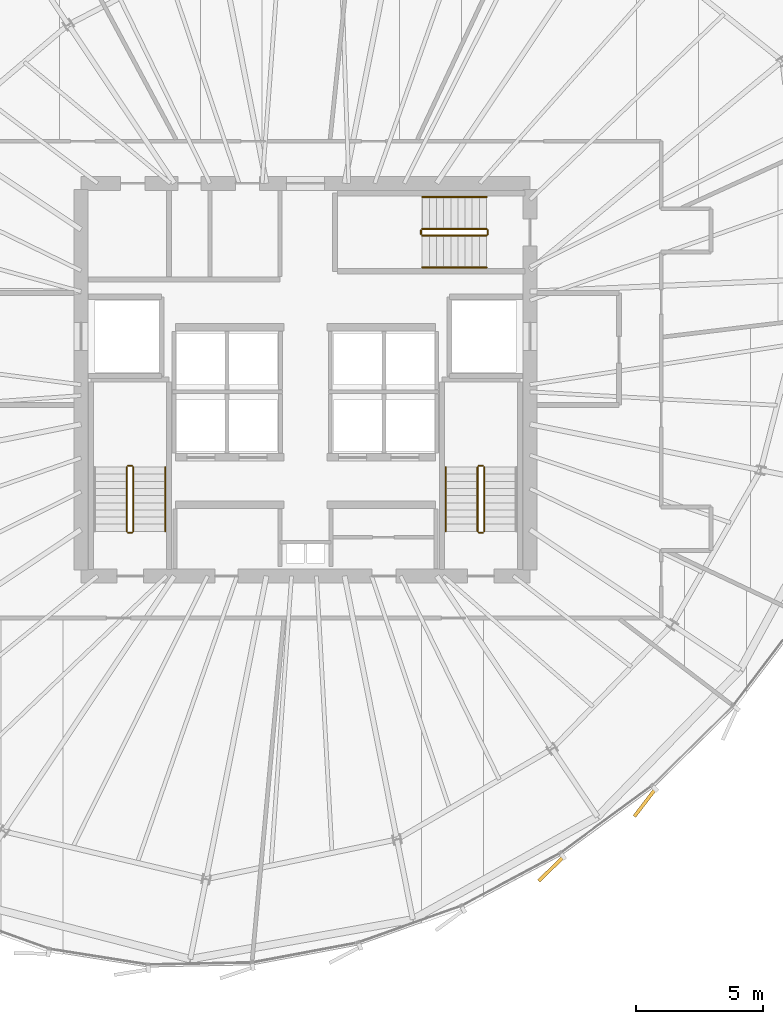
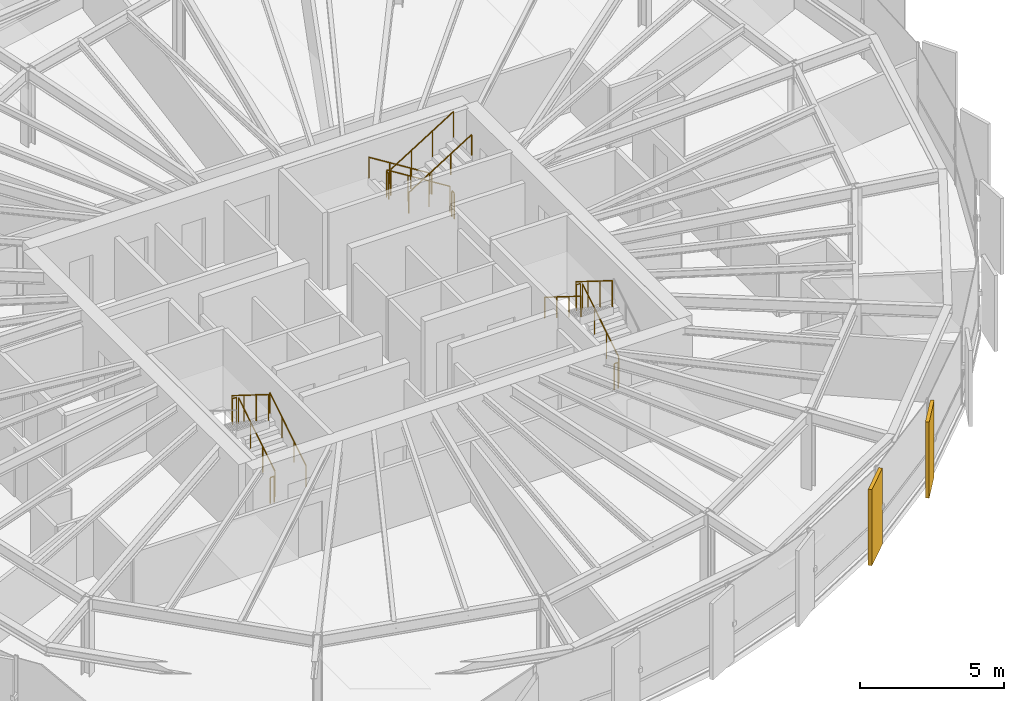
# One storey, part 35 of 36: 16 railings, 2 coverings.
"""IFC4 building model written with IfcOpenShell, lengths in metres."""

from ifc_helpers import new_model, si_unit, direction, frame, origin, origin_2d, place, context, subcontext, project, spatial, rectangle, circle, extrude, source, transform, mapped, material, layer, layer_set, type_object, element, save


model = new_model("IFC4")

# Units and contexts
model_context = context("Model", 3, precision=1e-05, world=origin(), true_north=direction((0.0, 1.0)))
body_context = subcontext(model_context, "Body", "Model", "MODEL_VIEW")
ifc_project = project(units=[si_unit("LENGTHUNIT", "METRE"), si_unit("AREAUNIT", "SQUARE_METRE"), si_unit("VOLUMEUNIT", "CUBIC_METRE"), si_unit("PLANEANGLEUNIT", "RADIAN"), si_unit("MASSUNIT", "GRAM", prefix="KILO"), si_unit("THERMODYNAMICTEMPERATUREUNIT", "KELVIN")], contexts=[model_context])

# Site, building, storey
site_placement = place(None, origin())
site = spatial("IfcSite", under=ifc_project, at=site_placement, CompositionType="ELEMENT")
building_placement = place(site_placement, origin())
building = spatial("IfcBuilding", under=site, at=building_placement, Name="Kethvar Cultural Tower", CompositionType="ELEMENT")
storey_placement = place(building_placement, frame((0.0, 0.0, 197.39990234375)))
storey = spatial("IfcBuildingStorey", under=building, at=storey_placement, Name="L51", CompositionType="ELEMENT", Elevation=197.39990234375)

# Railings
ifc_material_1 = material(Name="Steel S355J2", Category="steel")
railing_type_1 = type_object("IfcRailingType", Name="RL-STAIR-GUARD", PredefinedType="BALUSTRADE", material=ifc_material_1)
railing_1_placement = place(storey_placement, frame((40.050048828125, 21.85009765625, 0.175048828125)))
element("IfcRailing", 1, at=railing_1_placement, inside=storey, type_object=railing_type_1, Name="L51 ST-01 stair guard 1", PredefinedType="BALUSTRADE", context=body_context, shape_type="SweptSolid", body=[
    extrude(circle(Radius=0.02392578125, at=origin_2d()), frame((0.0, 0.0, 1.09619140625), z_axis=(0.0, 0.848007534815, 0.529984170421), x_axis=(-1.0, 0.0, 0.0)), (0.0, 0.0, 1.0), 2.9716796875),
    extrude(circle(Radius=0.02099609375, at=origin_2d()), origin(), (0.0, 0.0, 1.0), 1.072021484375),
    extrude(circle(Radius=0.02099609375, at=origin_2d()), frame((0.0, 0.840087890625, 0.52490234375)), (0.0, 0.0, 1.0), 1.072021484375),
    extrude(circle(Radius=0.02099609375, at=origin_2d()), frame((0.0, 1.679931640625, 1.050048828125)), (0.0, 0.0, 1.0), 1.072021484375),
    extrude(circle(Radius=0.02099609375, at=origin_2d()), frame((0.0, 2.52001953125, 1.574951171875)), (0.0, 0.0, 1.0), 1.072021484375),
])
railing_2_placement = place(storey_placement, frame((40.0, 24.419921875, 1.75)))
element("IfcRailing", 2, at=railing_2_placement, inside=storey, type_object=railing_type_1, Name="L51 ST-01 stair guard 2", PredefinedType="BALUSTRADE", context=body_context, shape_type="SweptSolid", body=[
    extrude(circle(Radius=0.02392578125, at=origin_2d()), frame((0.0, 0.0, 1.09619140625), z_axis=(-1.0, 0.0, 0.0), x_axis=(0.0, -1.0, 0.0)), (0.0, 0.0, 1.0), 0.159912109375),
    extrude(circle(Radius=0.02099609375, at=origin_2d()), origin(), (0.0, 0.0, 1.0), 1.072021484375),
    extrude(circle(Radius=0.02099609375, at=origin_2d()), frame((-0.159912109375, 0.0, 0.0)), (0.0, 0.0, 1.0), 1.072021484375),
])
railing_3_placement = place(storey_placement, frame((39.7900390625, 24.3701171875, 1.925048828125)))
element("IfcRailing", 3, at=railing_3_placement, inside=storey, type_object=railing_type_1, Name="L51 ST-01 stair guard 3", PredefinedType="BALUSTRADE", context=body_context, shape_type="SweptSolid", body=[
    extrude(circle(Radius=0.02392578125, at=origin_2d()), frame((0.0, 0.0, 1.09619140625), z_axis=(0.0, -0.848007534815, 0.529984170421), x_axis=(1.0, 0.0, 0.0)), (0.0, 0.0, 1.0), 2.9716796875),
    extrude(circle(Radius=0.02099609375, at=origin_2d()), origin(), (0.0, 0.0, 1.0), 1.072021484375),
    extrude(circle(Radius=0.02099609375, at=origin_2d()), frame((0.0, -0.840087890625, 0.52490234375)), (0.0, 0.0, 1.0), 1.072021484375),
    extrude(circle(Radius=0.02099609375, at=origin_2d()), frame((0.0, -1.679931640625, 1.050048828125)), (0.0, 0.0, 1.0), 1.072021484375),
    extrude(circle(Radius=0.02099609375, at=origin_2d()), frame((0.0, -2.52001953125, 1.574951171875)), (0.0, 0.0, 1.0), 1.072021484375),
])
railing_4_placement = place(storey_placement, frame((40.0, 21.800048828125, 0.0)))
element("IfcRailing", 4, at=railing_4_placement, inside=storey, type_object=railing_type_1, Name="L51 ST-01 stair guard 4", PredefinedType="BALUSTRADE", context=body_context, shape_type="SweptSolid", body=[
    extrude(circle(Radius=0.02392578125, at=origin_2d()), frame((0.0, 0.0, 1.09619140625), z_axis=(-1.0, 0.0, 0.0), x_axis=(0.0, -1.0, 0.0)), (0.0, 0.0, 1.0), 0.159912109375),
    extrude(circle(Radius=0.02099609375, at=origin_2d()), origin(), (0.0, 0.0, 1.0), 1.072021484375),
    extrude(circle(Radius=0.02099609375, at=origin_2d()), frame((-0.159912109375, 0.0, 0.0)), (0.0, 0.0, 1.0), 1.072021484375),
])
railing_5_placement = place(storey_placement, frame((53.81005859375, 21.85009765625, 0.175048828125)))
element("IfcRailing", 5, at=railing_5_placement, inside=storey, type_object=railing_type_1, Name="L51 ST-02 stair guard 1", PredefinedType="BALUSTRADE", context=body_context, shape_type="SweptSolid", body=[
    extrude(circle(Radius=0.02392578125, at=origin_2d()), frame((0.0, 0.0, 1.09619140625), z_axis=(0.0, 0.848007534815, 0.529984170421), x_axis=(-1.0, 0.0, 0.0)), (0.0, 0.0, 1.0), 2.9716796875),
    extrude(circle(Radius=0.02099609375, at=origin_2d()), origin(), (0.0, 0.0, 1.0), 1.072021484375),
    extrude(circle(Radius=0.02099609375, at=origin_2d()), frame((0.0, 0.840087890625, 0.52490234375)), (0.0, 0.0, 1.0), 1.072021484375),
    extrude(circle(Radius=0.02099609375, at=origin_2d()), frame((0.0, 1.679931640625, 1.050048828125)), (0.0, 0.0, 1.0), 1.072021484375),
    extrude(circle(Radius=0.02099609375, at=origin_2d()), frame((0.0, 2.52001953125, 1.574951171875)), (0.0, 0.0, 1.0), 1.072021484375),
])
railing_6_placement = place(storey_placement, frame((53.760009765625, 24.419921875, 1.75)))
element("IfcRailing", 6, at=railing_6_placement, inside=storey, type_object=railing_type_1, Name="L51 ST-02 stair guard 2", PredefinedType="BALUSTRADE", context=body_context, shape_type="SweptSolid", body=[
    extrude(circle(Radius=0.02392578125, at=origin_2d()), frame((0.0, 0.0, 1.09619140625), z_axis=(-1.0, 0.0, 0.0), x_axis=(0.0, -1.0, 0.0)), (0.0, 0.0, 1.0), 0.159912109375),
    extrude(circle(Radius=0.02099609375, at=origin_2d()), origin(), (0.0, 0.0, 1.0), 1.072021484375),
    extrude(circle(Radius=0.02099609375, at=origin_2d()), frame((-0.159912109375, 0.0, 0.0)), (0.0, 0.0, 1.0), 1.072021484375),
])
railing_7_placement = place(storey_placement, frame((53.550048828125, 24.3701171875, 1.925048828125)))
element("IfcRailing", 7, at=railing_7_placement, inside=storey, type_object=railing_type_1, Name="L51 ST-02 stair guard 3", PredefinedType="BALUSTRADE", context=body_context, shape_type="SweptSolid", body=[
    extrude(circle(Radius=0.02392578125, at=origin_2d()), frame((0.0, 0.0, 1.09619140625), z_axis=(0.0, -0.848007534815, 0.529984170421), x_axis=(1.0, 0.0, 0.0)), (0.0, 0.0, 1.0), 2.9716796875),
    extrude(circle(Radius=0.02099609375, at=origin_2d()), origin(), (0.0, 0.0, 1.0), 1.072021484375),
    extrude(circle(Radius=0.02099609375, at=origin_2d()), frame((0.0, -0.840087890625, 0.52490234375)), (0.0, 0.0, 1.0), 1.072021484375),
    extrude(circle(Radius=0.02099609375, at=origin_2d()), frame((0.0, -1.679931640625, 1.050048828125)), (0.0, 0.0, 1.0), 1.072021484375),
    extrude(circle(Radius=0.02099609375, at=origin_2d()), frame((0.0, -2.52001953125, 1.574951171875)), (0.0, 0.0, 1.0), 1.072021484375),
])
railing_8_placement = place(storey_placement, frame((53.760009765625, 21.800048828125, 0.0)))
element("IfcRailing", 8, at=railing_8_placement, inside=storey, type_object=railing_type_1, Name="L51 ST-02 stair guard 4", PredefinedType="BALUSTRADE", context=body_context, shape_type="SweptSolid", body=[
    extrude(circle(Radius=0.02392578125, at=origin_2d()), frame((0.0, 0.0, 1.09619140625), z_axis=(-1.0, 0.0, 0.0), x_axis=(0.0, -1.0, 0.0)), (0.0, 0.0, 1.0), 0.159912109375),
    extrude(circle(Radius=0.02099609375, at=origin_2d()), origin(), (0.0, 0.0, 1.0), 1.072021484375),
    extrude(circle(Radius=0.02099609375, at=origin_2d()), frame((-0.159912109375, 0.0, 0.0)), (0.0, 0.0, 1.0), 1.072021484375),
])
railing_9_placement = place(storey_placement, frame((53.89990234375, 33.7099609375, 0.175048828125)))
element("IfcRailing", 9, at=railing_9_placement, inside=storey, type_object=railing_type_1, Name="L51 ST-03 stair guard 1", PredefinedType="BALUSTRADE", context=body_context, shape_type="SweptSolid", body=[
    extrude(circle(Radius=0.02392578125, at=origin_2d()), frame((0.0, 0.0, 1.09619140625), z_axis=(-0.848007534815, 0.0, 0.529984170421), x_axis=(0.0, -1.0, 0.0)), (0.0, 0.0, 1.0), 2.9716796875),
    extrude(circle(Radius=0.02099609375, at=origin_2d()), origin(), (0.0, 0.0, 1.0), 1.072021484375),
    extrude(circle(Radius=0.02099609375, at=origin_2d()), frame((-0.840087890625, 0.0, 0.52490234375)), (0.0, 0.0, 1.0), 1.072021484375),
    extrude(circle(Radius=0.02099609375, at=origin_2d()), frame((-1.679931640625, 0.0, 1.050048828125)), (0.0, 0.0, 1.0), 1.072021484375),
    extrude(circle(Radius=0.02099609375, at=origin_2d()), frame((-2.52001953125, 0.0, 1.574951171875)), (0.0, 0.0, 1.0), 1.072021484375),
])
railing_10_placement = place(storey_placement, frame((51.330078125, 33.659912109375, 1.75)))
element("IfcRailing", 10, at=railing_10_placement, inside=storey, type_object=railing_type_1, Name="L51 ST-03 stair guard 2", PredefinedType="BALUSTRADE", context=body_context, shape_type="SweptSolid", body=[
    extrude(circle(Radius=0.02392578125, at=origin_2d()), frame((0.0, 0.0, 1.09619140625), z_axis=(0.0, -1.0, 0.0), x_axis=(1.0, 0.0, 0.0)), (0.0, 0.0, 1.0), 0.159912109375),
    extrude(circle(Radius=0.02099609375, at=origin_2d()), origin(), (0.0, 0.0, 1.0), 1.072021484375),
    extrude(circle(Radius=0.02099609375, at=origin_2d()), frame((0.0, -0.159912109375, 0.0)), (0.0, 0.0, 1.0), 1.072021484375),
])
railing_11_placement = place(storey_placement, frame((51.3798828125, 33.449951171875, 1.925048828125)))
element("IfcRailing", 11, at=railing_11_placement, inside=storey, type_object=railing_type_1, Name="L51 ST-03 stair guard 3", PredefinedType="BALUSTRADE", context=body_context, shape_type="SweptSolid", body=[
    extrude(circle(Radius=0.02392578125, at=origin_2d()), frame((0.0, 0.0, 1.09619140625), z_axis=(0.848007534815, 0.0, 0.529984170421), x_axis=(0.0, 1.0, 0.0)), (0.0, 0.0, 1.0), 2.9716796875),
    extrude(circle(Radius=0.02099609375, at=origin_2d()), origin(), (0.0, 0.0, 1.0), 1.072021484375),
    extrude(circle(Radius=0.02099609375, at=origin_2d()), frame((0.840087890625, 0.0, 0.52490234375)), (0.0, 0.0, 1.0), 1.072021484375),
    extrude(circle(Radius=0.02099609375, at=origin_2d()), frame((1.679931640625, 0.0, 1.050048828125)), (0.0, 0.0, 1.0), 1.072021484375),
    extrude(circle(Radius=0.02099609375, at=origin_2d()), frame((2.52001953125, 0.0, 1.574951171875)), (0.0, 0.0, 1.0), 1.072021484375),
])
railing_12_placement = place(storey_placement, frame((53.949951171875, 33.659912109375, 0.0)))
element("IfcRailing", 12, at=railing_12_placement, inside=storey, type_object=railing_type_1, Name="L51 ST-03 stair guard 4", PredefinedType="BALUSTRADE", context=body_context, shape_type="SweptSolid", body=[
    extrude(circle(Radius=0.02392578125, at=origin_2d()), frame((0.0, 0.0, 1.09619140625), z_axis=(0.0, -1.0, 0.0), x_axis=(1.0, 0.0, 0.0)), (0.0, 0.0, 1.0), 0.159912109375),
    extrude(circle(Radius=0.02099609375, at=origin_2d()), origin(), (0.0, 0.0, 1.0), 1.072021484375),
    extrude(circle(Radius=0.02099609375, at=origin_2d()), frame((0.0, -0.159912109375, 0.0)), (0.0, 0.0, 1.0), 1.072021484375),
])
railing_type_2 = type_object("IfcRailingType", Name="RL-STAIR-HANDRAIL", PredefinedType="HANDRAIL", material=ifc_material_1)
railing_13_placement = place(storey_placement, frame((41.300048828125, 21.85009765625, 0.175048828125)))
element("IfcRailing", 13, at=railing_13_placement, inside=storey, type_object=railing_type_2, Name="L51 ST-01 stair handrail 1", PredefinedType="HANDRAIL", context=body_context, shape_type="SweptSolid", body=[
    extrude(circle(Radius=0.02392578125, at=origin_2d()), frame((0.0, 0.0, 0.8759765625), z_axis=(0.0, 0.848007534815, 0.529984170421), x_axis=(-1.0, 0.0, 0.0)), (0.0, 0.0, 1.0), 2.9716796875),
    extrude(circle(Radius=0.02099609375, at=origin_2d()), origin(), (0.0, 0.0, 1.0), 0.851806640625),
    extrude(circle(Radius=0.02099609375, at=origin_2d()), frame((0.0, 0.840087890625, 0.52490234375)), (0.0, 0.0, 1.0), 0.851806640625),
    extrude(circle(Radius=0.02099609375, at=origin_2d()), frame((0.0, 1.679931640625, 1.050048828125)), (0.0, 0.0, 1.0), 0.851806640625),
    extrude(circle(Radius=0.02099609375, at=origin_2d()), frame((0.0, 2.52001953125, 1.574951171875)), (0.0, 0.0, 1.0), 0.851806640625),
])
railing_14_placement = place(storey_placement, frame((52.300048828125, 24.3701171875, 1.925048828125)))
element("IfcRailing", 14, at=railing_14_placement, inside=storey, type_object=railing_type_2, Name="L51 ST-02 stair handrail 2", PredefinedType="HANDRAIL", context=body_context, shape_type="SweptSolid", body=[
    extrude(circle(Radius=0.02392578125, at=origin_2d()), frame((0.0, 0.0, 0.8759765625), z_axis=(0.0, -0.848007534815, 0.529984170421), x_axis=(1.0, 0.0, 0.0)), (0.0, 0.0, 1.0), 2.9716796875),
    extrude(circle(Radius=0.02099609375, at=origin_2d()), origin(), (0.0, 0.0, 1.0), 0.851806640625),
    extrude(circle(Radius=0.02099609375, at=origin_2d()), frame((0.0, -0.840087890625, 0.52490234375)), (0.0, 0.0, 1.0), 0.851806640625),
    extrude(circle(Radius=0.02099609375, at=origin_2d()), frame((0.0, -1.679931640625, 1.050048828125)), (0.0, 0.0, 1.0), 0.851806640625),
    extrude(circle(Radius=0.02099609375, at=origin_2d()), frame((0.0, -2.52001953125, 1.574951171875)), (0.0, 0.0, 1.0), 0.851806640625),
])
railing_15_placement = place(storey_placement, frame((53.89990234375, 34.9599609375, 0.175048828125)))
element("IfcRailing", 15, at=railing_15_placement, inside=storey, type_object=railing_type_2, Name="L51 ST-03 stair handrail 1", PredefinedType="HANDRAIL", context=body_context, shape_type="SweptSolid", body=[
    extrude(circle(Radius=0.02392578125, at=origin_2d()), frame((0.0, 0.0, 0.8759765625), z_axis=(-0.848007534815, 0.0, 0.529984170421), x_axis=(0.0, -1.0, 0.0)), (0.0, 0.0, 1.0), 2.9716796875),
    extrude(circle(Radius=0.02099609375, at=origin_2d()), origin(), (0.0, 0.0, 1.0), 0.851806640625),
    extrude(circle(Radius=0.02099609375, at=origin_2d()), frame((-0.840087890625, 0.0, 0.52490234375)), (0.0, 0.0, 1.0), 0.851806640625),
    extrude(circle(Radius=0.02099609375, at=origin_2d()), frame((-1.679931640625, 0.0, 1.050048828125)), (0.0, 0.0, 1.0), 0.851806640625),
    extrude(circle(Radius=0.02099609375, at=origin_2d()), frame((-2.52001953125, 0.0, 1.574951171875)), (0.0, 0.0, 1.0), 0.851806640625),
])
railing_16_placement = place(storey_placement, frame((51.3798828125, 32.199951171875, 1.925048828125)))
element("IfcRailing", 16, at=railing_16_placement, inside=storey, type_object=railing_type_2, Name="L51 ST-03 stair handrail 2", PredefinedType="HANDRAIL", context=body_context, shape_type="SweptSolid", body=[
    extrude(circle(Radius=0.02392578125, at=origin_2d()), frame((0.0, 0.0, 0.8759765625), z_axis=(0.848007534815, 0.0, 0.529984170421), x_axis=(0.0, 1.0, 0.0)), (0.0, 0.0, 1.0), 2.9716796875),
    extrude(circle(Radius=0.02099609375, at=origin_2d()), origin(), (0.0, 0.0, 1.0), 0.851806640625),
    extrude(circle(Radius=0.02099609375, at=origin_2d()), frame((0.840087890625, 0.0, 0.52490234375)), (0.0, 0.0, 1.0), 0.851806640625),
    extrude(circle(Radius=0.02099609375, at=origin_2d()), frame((1.679931640625, 0.0, 1.050048828125)), (0.0, 0.0, 1.0), 0.851806640625),
    extrude(circle(Radius=0.02099609375, at=origin_2d()), frame((2.52001953125, 0.0, 1.574951171875)), (0.0, 0.0, 1.0), 0.851806640625),
])

# Coverings
ifc_material_2 = material(Name="Extruded Architectural Terracotta", Category="masonry")
ifc_layer = layer(ifc_material_2, 0.135009765625, Name="Extruded Architectural Terracotta", Category="masonry")
ifc_layer_set = layer_set([ifc_layer], Name="Extruded Architectural Terracotta (135 mm)")
covering_type = type_object("IfcCoveringType", Name="Terracotta Facade Fin FIN-03", PredefinedType="CLADDING", material=ifc_layer_set)
shared_shape = source(origin(), body_context, "Body", "SweptSolid", [
    extrude(rectangle(XDim=1.35009765625, YDim=0.135009765625, at=origin_2d()), origin(), (0.0, 0.0, 1.0), 3.219970703125),
])
for number, where, z_axis, x_axis, name in (
    (17, (56.43310546875, 8.613037109375, 0.02001953125), (0.0, 0.0, 1.0), (-0.714472679633, -0.699663340513, 0.0), "L51 Vertical Terracotta Fin 5.3"),
    (18, (60.110595703125, 11.207763671875, 0.02001953125), (0.0, 0.0, 1.0), (-0.607514481979, -0.794308601354, 0.0), "L51 Vertical Terracotta Fin 5.4"),
):
    element("IfcCovering", number, at=place(storey_placement, frame(where, z_axis=z_axis, x_axis=x_axis)), inside=storey, type_object=covering_type, Name=name, PredefinedType="CLADDING", context=body_context, shape_type="MappedRepresentation", body=[
        mapped(shared_shape, transform((0.0, 0.0, 0.0), scale=1.0)),
    ])

save(model, "model.ifc")
